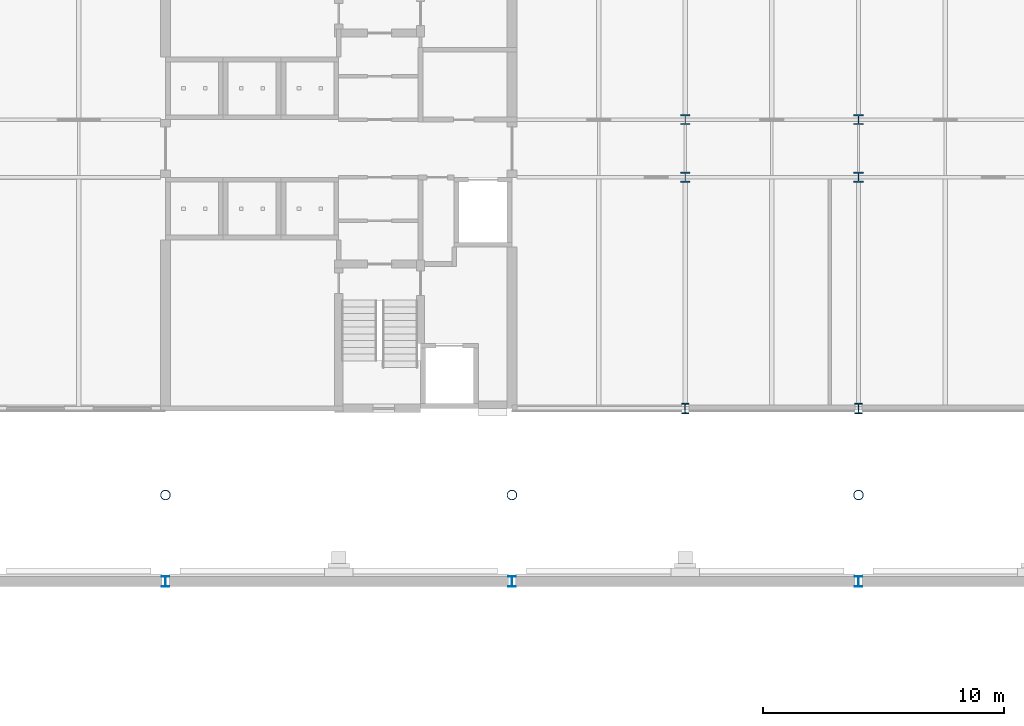
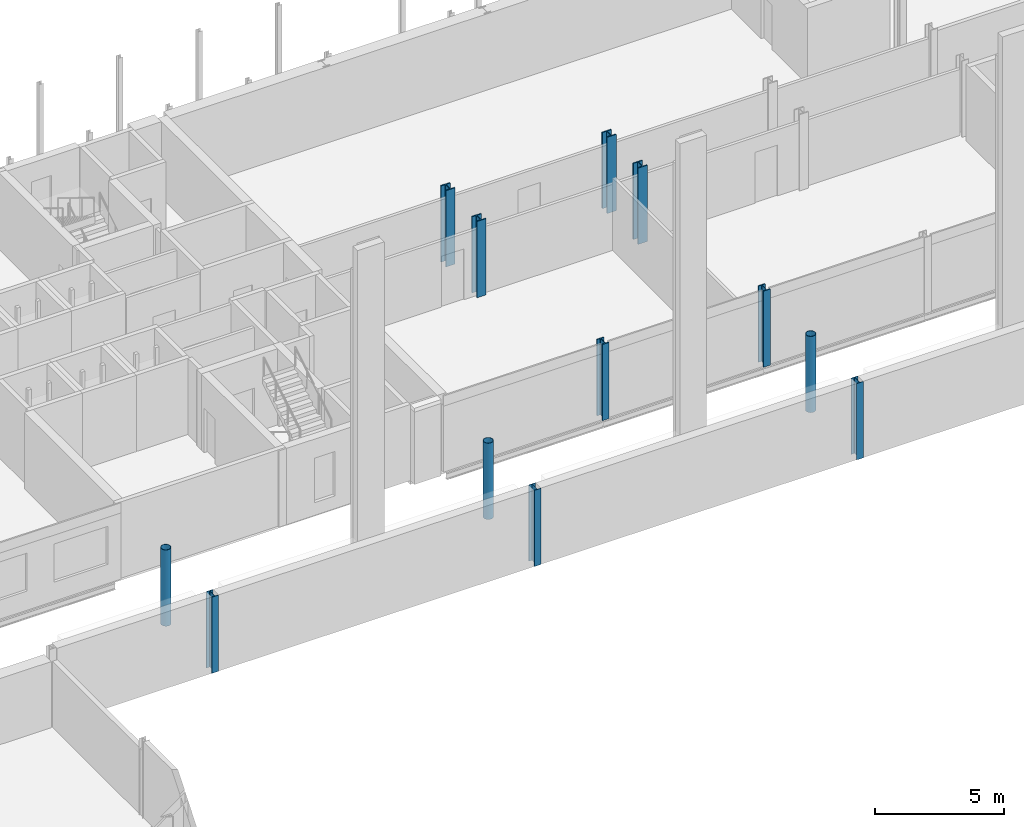
# One storey, part 15 of 90: 12 columns.
"""IFC4 building model written with IfcOpenShell, lengths in metres."""

from ifc_helpers import new_model, si_unit, direction, frame, origin, origin_2d, place, context, subcontext, project, spatial, hollow_circle, i_section, extrude, material, material_profile, profile_set, type_object, element, save


model = new_model("IFC4")

# Units and contexts
model_context = context("Model", 3, precision=1e-05, world=origin(), true_north=direction((0.0, 1.0)))
body_context = subcontext(model_context, "Body", "Model", "MODEL_VIEW")
ifc_project = project(units=[si_unit("LENGTHUNIT", "METRE"), si_unit("AREAUNIT", "SQUARE_METRE"), si_unit("VOLUMEUNIT", "CUBIC_METRE"), si_unit("PLANEANGLEUNIT", "RADIAN"), si_unit("MASSUNIT", "GRAM", prefix="KILO")], contexts=[model_context])

# Site, building, storey
site_placement = place(None, origin())
site = spatial("IfcSite", under=ifc_project, at=site_placement, CompositionType="ELEMENT")
building_placement = place(site_placement, origin())
building = spatial("IfcBuilding", under=site, at=building_placement, Name="Kupolbacken Congress Centre", CompositionType="ELEMENT")
storey_placement = place(building_placement, frame((0.0, 0.0, 3.60009765625)))
storey = spatial("IfcBuildingStorey", under=building, at=storey_placement, Name="L01", CompositionType="ELEMENT", Elevation=3.60009765625)

# Columns
ifc_material_1 = material(Name="Steel S355", Category="steel")
ifc_material_profile_1 = material_profile(ifc_material_1, i_section(OverallWidth=0.408935546875, OverallDepth=0.425048828125, WebThickness=0.03271484375, FlangeThickness=0.052490234375, FilletRadius=0.014892578125, at=origin_2d()), Name="HD 400 x 421")
ifc_profile_set_1 = profile_set([ifc_material_profile_1], Name="Steel S355")
column_type_1 = type_object("IfcColumnType", Name="C01 column HD 400 x 421", PredefinedType="COLUMN", material=ifc_profile_set_1)
for number, where, z_axis, x_axis, name in (
    (1, (115.199951171875, 132.0, 0.0), (0.0, 0.0, 1.0), (1.0, 0.0, 0.0), "S/col/C-T-17U+2400/L01"),
    (2, (115.199951171875, 134.39990234375, 0.0), (0.0, 0.0, 1.0), (1.0, 0.0, 0.0), "S/col/C-T-17U+4800/L01"),
    (3, (122.39990234375, 132.0, 0.0), (0.0, 0.0, 1.0), (1.0, 0.0, 0.0), "S/col/C-T-18U+2400/L01"),
    (4, (122.39990234375, 134.39990234375, 0.0), (0.0, 0.0, 1.0), (1.0, 0.0, 0.0), "S/col/C-T-18U+4800/L01"),
):
    element("IfcColumn", number, at=place(storey_placement, frame(where, z_axis=z_axis, x_axis=x_axis)), inside=storey, type_object=column_type_1, Name=name, PredefinedType="COLUMN", context=body_context, shape_type="SweptSolid", body=[
        extrude(i_section(OverallWidth=0.408935546875, OverallDepth=0.425048828125, WebThickness=0.03271484375, FlangeThickness=0.052490234375, FilletRadius=0.014892578125, at=origin_2d()), origin(), (0.0, 0.0, 1.0), 3.599853515625),
    ])
ifc_material_2 = material(Name="Steel S355", Category="steel")
ifc_material_profile_2 = material_profile(ifc_material_2, i_section(OverallWidth=0.306884765625, OverallDepth=0.431884765625, WebThickness=0.02099609375, FlangeThickness=0.0400390625, FilletRadius=0.027099609375, at=origin_2d()), Name="HEM 400")
ifc_profile_set_2 = profile_set([ifc_material_profile_2], Name="Steel S355")
column_type_2 = type_object("IfcColumnType", Name="C02 column HEM 400", PredefinedType="COLUMN", material=ifc_profile_set_2)
for number, where, z_axis, x_axis, name in (
    (5, (115.199951171875, 122.39990234375, 0.0), (0.0, 0.0, 1.0), (1.0, 0.0, 0.0), "S/col/C-T-17T/L01"),
    (6, (122.39990234375, 122.39990234375, 0.0), (0.0, 0.0, 1.0), (1.0, 0.0, 0.0), "S/col/C-T-18T/L01"),
):
    element("IfcColumn", number, at=place(storey_placement, frame(where, z_axis=z_axis, x_axis=x_axis)), inside=storey, type_object=column_type_2, Name=name, PredefinedType="COLUMN", context=body_context, shape_type="SweptSolid", body=[
        extrude(i_section(OverallWidth=0.306884765625, OverallDepth=0.431884765625, WebThickness=0.02099609375, FlangeThickness=0.0400390625, FilletRadius=0.027099609375, at=origin_2d()), origin(), (0.0, 0.0, 1.0), 3.599853515625),
    ])
ifc_material_3 = material(Name="Steel S355", Category="steel")
ifc_material_profile_3 = material_profile(ifc_material_3, i_section(OverallWidth=0.300048828125, OverallDepth=0.43994140625, WebThickness=0.011474609375, FlangeThickness=0.02099609375, FilletRadius=0.027099609375, at=origin_2d()), Name="HEA 450")
ifc_profile_set_3 = profile_set([ifc_material_profile_3], Name="Steel S355")
column_type_3 = type_object("IfcColumnType", Name="C07 column HEA 450", PredefinedType="COLUMN", material=ifc_profile_set_3)
for number, where, z_axis, x_axis, name in (
    (7, (93.60009765625, 115.199951171875, 0.0), (0.0, 0.0, 1.0), (1.0, 0.0, 0.0), "S/col/C-H-T1N/L01"),
    (8, (108.0, 115.199951171875, 0.0), (0.0, 0.0, 1.0), (1.0, 0.0, 0.0), "S/col/C-H-T2N/L01"),
    (9, (122.39990234375, 115.199951171875, 0.0), (0.0, 0.0, 1.0), (1.0, 0.0, 0.0), "S/col/C-H-T3N/L01"),
):
    element("IfcColumn", number, at=place(storey_placement, frame(where, z_axis=z_axis, x_axis=x_axis)), inside=storey, type_object=column_type_3, Name=name, PredefinedType="COLUMN", context=body_context, shape_type="SweptSolid", body=[
        extrude(i_section(OverallWidth=0.300048828125, OverallDepth=0.43994140625, WebThickness=0.011474609375, FlangeThickness=0.02099609375, FilletRadius=0.027099609375, at=origin_2d()), origin(), (0.0, 0.0, 1.0), 3.599853515625),
    ])
ifc_material_4 = material(Name="Steel S355", Category="steel")
ifc_material_profile_4 = material_profile(ifc_material_4, hollow_circle(Radius=0.203125, WallThickness=0.01611328125, at=origin_2d()), Name="CHS 406.4 x 16")
ifc_profile_set_4 = profile_set([ifc_material_profile_4], Name="Steel S355")
column_type_4 = type_object("IfcColumnType", Name="C15 roof mast CHS 406.4 x 16", PredefinedType="COLUMN", material=ifc_profile_set_4)
for number, where, z_axis, x_axis, name in (
    (10, (93.60009765625, 118.800048828125, 0.0), (0.0, 0.0, 1.0), (1.0, 0.0, 0.0), "Roof mast M1N"),
    (11, (108.0, 118.800048828125, 0.0), (0.0, 0.0, 1.0), (1.0, 0.0, 0.0), "Roof mast M2N"),
    (12, (122.39990234375, 118.800048828125, 0.0), (0.0, 0.0, 1.0), (1.0, 0.0, 0.0), "Roof mast M3N"),
):
    element("IfcColumn", number, at=place(storey_placement, frame(where, z_axis=z_axis, x_axis=x_axis)), inside=storey, type_object=column_type_4, Name=name, PredefinedType="COLUMN", context=body_context, shape_type="SweptSolid", body=[
        extrude(hollow_circle(Radius=0.203125, WallThickness=0.01611328125, at=origin_2d()), origin(), (0.0, 0.0, 1.0), 3.599853515625),
    ])

save(model, "model.ifc")
